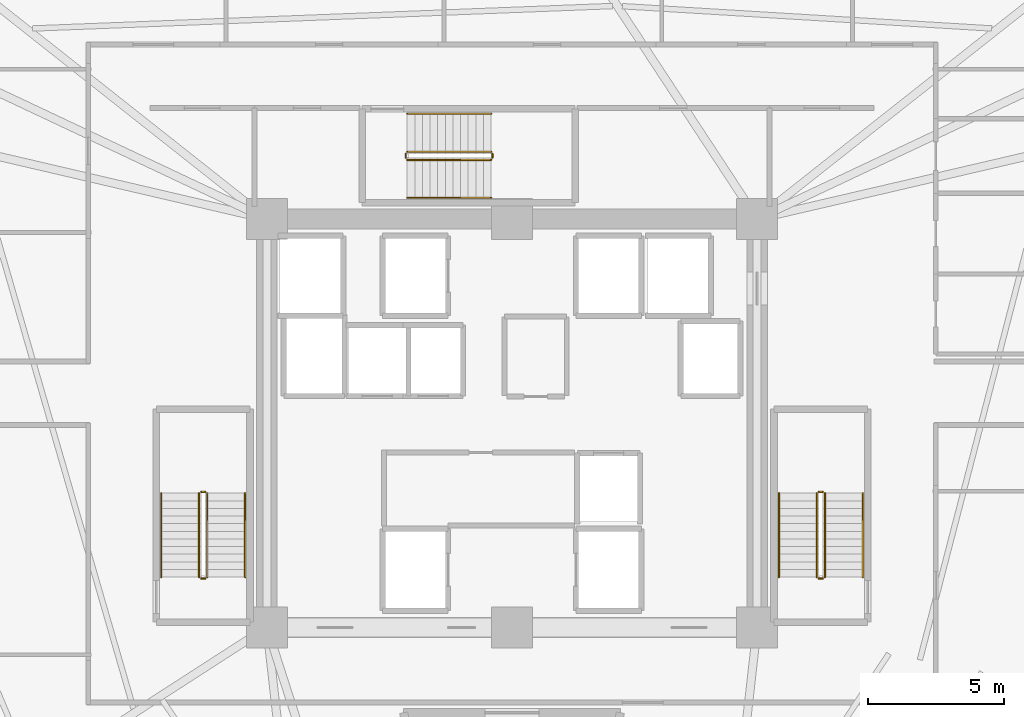
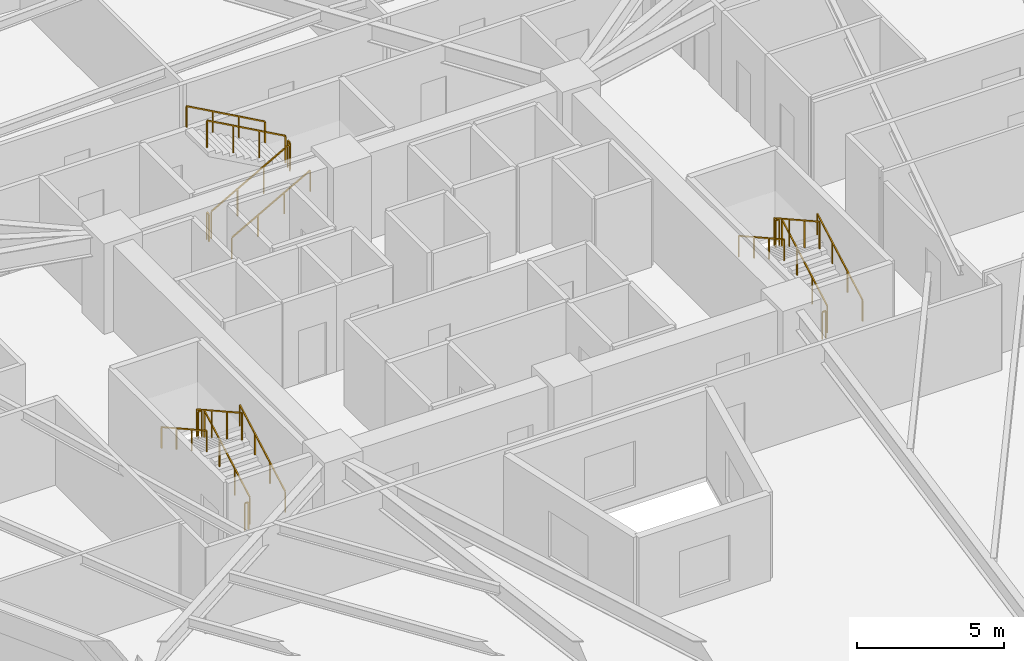
# One storey, part 8 of 8: 18 railings.
"""IFC4 building model written with IfcOpenShell, lengths in metres."""

from ifc_helpers import new_model, si_unit, direction, frame, origin, origin_2d, place, context, subcontext, project, spatial, rectangle, extrude, material, type_object, element, save


model = new_model("IFC4")

# Units and contexts
model_context = context("Model", 3, precision=1e-05, world=origin(), true_north=direction((0.0, 1.0)))
body_context = subcontext(model_context, "Body", "Model", "MODEL_VIEW")
ifc_project = project(units=[si_unit("LENGTHUNIT", "METRE"), si_unit("AREAUNIT", "SQUARE_METRE"), si_unit("VOLUMEUNIT", "CUBIC_METRE"), si_unit("PLANEANGLEUNIT", "RADIAN"), si_unit("MASSUNIT", "GRAM", prefix="KILO")], contexts=[model_context])

# Site, building, storey
site_placement = place(None, origin())
site = spatial("IfcSite", under=ifc_project, at=site_placement, CompositionType="ELEMENT")
building_placement = place(site_placement, origin())
building = spatial("IfcBuilding", under=site, at=building_placement, Name="Liaohun Quay Tower", CompositionType="ELEMENT")
storey_placement = place(building_placement, frame((0.0, 0.0, 162.75)))
storey = spatial("IfcBuildingStorey", under=building, at=storey_placement, Name="L42", CompositionType="ELEMENT", Elevation=162.75)

# Railings
ifc_material_1 = material(Name="Painted tubular steel", Category="steel")
railing_type_1 = type_object("IfcRailingType", Name="RLG-GUARD-STR", PredefinedType="GUARDRAIL", material=ifc_material_1)
railing_1_placement = place(storey_placement, frame((48.81005859375, 48.35009765625, 0.15625)))
element("IfcRailing", 1, at=railing_1_placement, inside=storey, type_object=railing_type_1, Name="L42 ST-1 stair guard 1", PredefinedType="GUARDRAIL", context=body_context, shape_type="SweptSolid", body=[
    extrude(rectangle(XDim=0.048095703125, YDim=0.048095703125, at=origin_2d()), frame((0.0, 0.0, 1.1259765625), z_axis=(0.0, 0.873225103656, 0.487317061414), x_axis=(-1.0, 0.0, 0.0)), (0.0, 0.0, 1.0), 3.52685546875),
    extrude(rectangle(XDim=0.0419921875, YDim=0.0419921875, at=origin_2d()), origin(), (0.0, 0.0, 1.0), 1.101806640625),
    extrude(rectangle(XDim=0.0419921875, YDim=0.0419921875, at=origin_2d()), frame((0.0, 1.026611328125, 0.572998046875)), (0.0, 0.0, 1.0), 1.101806640625),
    extrude(rectangle(XDim=0.0419921875, YDim=0.0419921875, at=origin_2d()), frame((0.0, 2.05322265625, 1.145751953125)), (0.0, 0.0, 1.0), 1.101806640625),
    extrude(rectangle(XDim=0.0419921875, YDim=0.0419921875, at=origin_2d()), frame((0.0, 3.079833984375, 1.71875)), (0.0, 0.0, 1.0), 1.101806640625),
])
railing_2_placement = place(storey_placement, frame((48.72998046875, 51.47998046875, 1.875)))
element("IfcRailing", 2, at=railing_2_placement, inside=storey, type_object=railing_type_1, Name="L42 ST-1 stair guard 2", PredefinedType="GUARDRAIL", context=body_context, shape_type="SweptSolid", body=[
    extrude(rectangle(XDim=0.048095703125, YDim=0.048095703125, at=origin_2d()), frame((0.0, 0.0, 1.1259765625), z_axis=(-1.0, 0.0, 0.0), x_axis=(0.0, -1.0, 0.0)), (0.0, 0.0, 1.0), 0.139892578125),
    extrude(rectangle(XDim=0.0419921875, YDim=0.0419921875, at=origin_2d()), origin(), (0.0, 0.0, 1.0), 1.101806640625),
    extrude(rectangle(XDim=0.0419921875, YDim=0.0419921875, at=origin_2d()), frame((-0.139892578125, 0.0, 0.0)), (0.0, 0.0, 1.0), 1.101806640625),
])
railing_3_placement = place(storey_placement, frame((48.510009765625, 51.429931640625, 2.03125)))
element("IfcRailing", 3, at=railing_3_placement, inside=storey, type_object=railing_type_1, Name="L42 ST-1 stair guard 3", PredefinedType="GUARDRAIL", context=body_context, shape_type="SweptSolid", body=[
    extrude(rectangle(XDim=0.048095703125, YDim=0.048095703125, at=origin_2d()), frame((0.0, 0.0, 1.1259765625), z_axis=(0.0, -0.873225103656, 0.487317061414), x_axis=(1.0, 0.0, 0.0)), (0.0, 0.0, 1.0), 3.52685546875),
    extrude(rectangle(XDim=0.0419921875, YDim=0.0419921875, at=origin_2d()), origin(), (0.0, 0.0, 1.0), 1.101806640625),
    extrude(rectangle(XDim=0.0419921875, YDim=0.0419921875, at=origin_2d()), frame((0.0, -1.026611328125, 0.572998046875)), (0.0, 0.0, 1.0), 1.101806640625),
    extrude(rectangle(XDim=0.0419921875, YDim=0.0419921875, at=origin_2d()), frame((0.0, -2.05322265625, 1.145751953125)), (0.0, 0.0, 1.0), 1.101806640625),
    extrude(rectangle(XDim=0.0419921875, YDim=0.0419921875, at=origin_2d()), frame((0.0, -3.079833984375, 1.71875)), (0.0, 0.0, 1.0), 1.101806640625),
])
railing_4_placement = place(storey_placement, frame((48.72998046875, 48.300048828125, 0.0)))
element("IfcRailing", 4, at=railing_4_placement, inside=storey, type_object=railing_type_1, Name="L42 ST-1 stair guard 4", PredefinedType="GUARDRAIL", context=body_context, shape_type="SweptSolid", body=[
    extrude(rectangle(XDim=0.048095703125, YDim=0.048095703125, at=origin_2d()), frame((0.0, 0.0, 1.1259765625), z_axis=(-1.0, 0.0, 0.0), x_axis=(0.0, -1.0, 0.0)), (0.0, 0.0, 1.0), 0.139892578125),
    extrude(rectangle(XDim=0.0419921875, YDim=0.0419921875, at=origin_2d()), origin(), (0.0, 0.0, 1.0), 1.101806640625),
    extrude(rectangle(XDim=0.0419921875, YDim=0.0419921875, at=origin_2d()), frame((-0.139892578125, 0.0, 0.0)), (0.0, 0.0, 1.0), 1.101806640625),
])
railing_5_placement = place(storey_placement, frame((71.489990234375, 48.35009765625, 0.15625)))
element("IfcRailing", 5, at=railing_5_placement, inside=storey, type_object=railing_type_1, Name="L42 ST-2 stair guard 1", PredefinedType="GUARDRAIL", context=body_context, shape_type="SweptSolid", body=[
    extrude(rectangle(XDim=0.048095703125, YDim=0.048095703125, at=origin_2d()), frame((0.0, 0.0, 1.1259765625), z_axis=(0.0, 0.873225103656, 0.487317061414), x_axis=(-1.0, 0.0, 0.0)), (0.0, 0.0, 1.0), 3.52685546875),
    extrude(rectangle(XDim=0.0419921875, YDim=0.0419921875, at=origin_2d()), origin(), (0.0, 0.0, 1.0), 1.101806640625),
    extrude(rectangle(XDim=0.0419921875, YDim=0.0419921875, at=origin_2d()), frame((0.0, 1.026611328125, 0.572998046875)), (0.0, 0.0, 1.0), 1.101806640625),
    extrude(rectangle(XDim=0.0419921875, YDim=0.0419921875, at=origin_2d()), frame((0.0, 2.05322265625, 1.145751953125)), (0.0, 0.0, 1.0), 1.101806640625),
    extrude(rectangle(XDim=0.0419921875, YDim=0.0419921875, at=origin_2d()), frame((0.0, 3.079833984375, 1.71875)), (0.0, 0.0, 1.0), 1.101806640625),
])
railing_6_placement = place(storey_placement, frame((71.409912109375, 51.47998046875, 1.875)))
element("IfcRailing", 6, at=railing_6_placement, inside=storey, type_object=railing_type_1, Name="L42 ST-2 stair guard 2", PredefinedType="GUARDRAIL", context=body_context, shape_type="SweptSolid", body=[
    extrude(rectangle(XDim=0.048095703125, YDim=0.048095703125, at=origin_2d()), frame((0.0, 0.0, 1.1259765625), z_axis=(-1.0, 0.0, 0.0), x_axis=(0.0, -1.0, 0.0)), (0.0, 0.0, 1.0), 0.139892578125),
    extrude(rectangle(XDim=0.0419921875, YDim=0.0419921875, at=origin_2d()), origin(), (0.0, 0.0, 1.0), 1.101806640625),
    extrude(rectangle(XDim=0.0419921875, YDim=0.0419921875, at=origin_2d()), frame((-0.139892578125, 0.0, 0.0)), (0.0, 0.0, 1.0), 1.101806640625),
])
railing_7_placement = place(storey_placement, frame((71.18994140625, 51.429931640625, 2.03125)))
element("IfcRailing", 7, at=railing_7_placement, inside=storey, type_object=railing_type_1, Name="L42 ST-2 stair guard 3", PredefinedType="GUARDRAIL", context=body_context, shape_type="SweptSolid", body=[
    extrude(rectangle(XDim=0.048095703125, YDim=0.048095703125, at=origin_2d()), frame((0.0, 0.0, 1.1259765625), z_axis=(0.0, -0.873225103656, 0.487317061414), x_axis=(1.0, 0.0, 0.0)), (0.0, 0.0, 1.0), 3.52685546875),
    extrude(rectangle(XDim=0.0419921875, YDim=0.0419921875, at=origin_2d()), origin(), (0.0, 0.0, 1.0), 1.101806640625),
    extrude(rectangle(XDim=0.0419921875, YDim=0.0419921875, at=origin_2d()), frame((0.0, -1.026611328125, 0.572998046875)), (0.0, 0.0, 1.0), 1.101806640625),
    extrude(rectangle(XDim=0.0419921875, YDim=0.0419921875, at=origin_2d()), frame((0.0, -2.05322265625, 1.145751953125)), (0.0, 0.0, 1.0), 1.101806640625),
    extrude(rectangle(XDim=0.0419921875, YDim=0.0419921875, at=origin_2d()), frame((0.0, -3.079833984375, 1.71875)), (0.0, 0.0, 1.0), 1.101806640625),
])
railing_8_placement = place(storey_placement, frame((71.409912109375, 48.300048828125, 0.0)))
element("IfcRailing", 8, at=railing_8_placement, inside=storey, type_object=railing_type_1, Name="L42 ST-2 stair guard 4", PredefinedType="GUARDRAIL", context=body_context, shape_type="SweptSolid", body=[
    extrude(rectangle(XDim=0.048095703125, YDim=0.048095703125, at=origin_2d()), frame((0.0, 0.0, 1.1259765625), z_axis=(-1.0, 0.0, 0.0), x_axis=(0.0, -1.0, 0.0)), (0.0, 0.0, 1.0), 0.139892578125),
    extrude(rectangle(XDim=0.0419921875, YDim=0.0419921875, at=origin_2d()), origin(), (0.0, 0.0, 1.0), 1.101806640625),
    extrude(rectangle(XDim=0.0419921875, YDim=0.0419921875, at=origin_2d()), frame((-0.139892578125, 0.0, 0.0)), (0.0, 0.0, 1.0), 1.101806640625),
])
railing_9_placement = place(storey_placement, frame((56.14990234375, 63.669921875, 0.15625)))
element("IfcRailing", 9, at=railing_9_placement, inside=storey, type_object=railing_type_1, Name="L42 ST-3 stair guard 1", PredefinedType="GUARDRAIL", context=body_context, shape_type="SweptSolid", body=[
    extrude(rectangle(XDim=0.048095703125, YDim=0.048095703125, at=origin_2d()), frame((0.0, 0.0, 1.1259765625), z_axis=(0.873241540666, 0.0, 0.487287606713), x_axis=(0.0, 1.0, 0.0)), (0.0, 0.0, 1.0), 3.527099609375),
    extrude(rectangle(XDim=0.0419921875, YDim=0.0419921875, at=origin_2d()), origin(), (0.0, 0.0, 1.0), 1.101806640625),
    extrude(rectangle(XDim=0.0419921875, YDim=0.0419921875, at=origin_2d()), frame((1.026611328125, 0.0, 0.572998046875)), (0.0, 0.0, 1.0), 1.101806640625),
    extrude(rectangle(XDim=0.0419921875, YDim=0.0419921875, at=origin_2d()), frame((2.053466796875, 0.0, 1.145751953125)), (0.0, 0.0, 1.0), 1.101806640625),
    extrude(rectangle(XDim=0.0419921875, YDim=0.0419921875, at=origin_2d()), frame((3.080078125, 0.0, 1.71875)), (0.0, 0.0, 1.0), 1.101806640625),
])
railing_10_placement = place(storey_placement, frame((59.280029296875, 63.75, 1.875)))
element("IfcRailing", 10, at=railing_10_placement, inside=storey, type_object=railing_type_1, Name="L42 ST-3 stair guard 2", PredefinedType="GUARDRAIL", context=body_context, shape_type="SweptSolid", body=[
    extrude(rectangle(XDim=0.048095703125, YDim=0.048095703125, at=origin_2d()), frame((0.0, 0.0, 1.1259765625), z_axis=(0.0, 1.0, 0.0), x_axis=(-1.0, 0.0, 0.0)), (0.0, 0.0, 1.0), 0.139892578125),
    extrude(rectangle(XDim=0.0419921875, YDim=0.0419921875, at=origin_2d()), origin(), (0.0, 0.0, 1.0), 1.101806640625),
    extrude(rectangle(XDim=0.0419921875, YDim=0.0419921875, at=origin_2d()), frame((0.0, 0.139892578125, 0.0)), (0.0, 0.0, 1.0), 1.101806640625),
])
railing_11_placement = place(storey_placement, frame((59.22998046875, 63.969970703125, 2.03125)))
element("IfcRailing", 11, at=railing_11_placement, inside=storey, type_object=railing_type_1, Name="L42 ST-3 stair guard 3", PredefinedType="GUARDRAIL", context=body_context, shape_type="SweptSolid", body=[
    extrude(rectangle(XDim=0.048095703125, YDim=0.048095703125, at=origin_2d()), frame((0.0, 0.0, 1.1259765625), z_axis=(-0.873241540666, 0.0, 0.487287606713), x_axis=(0.0, -1.0, 0.0)), (0.0, 0.0, 1.0), 3.527099609375),
    extrude(rectangle(XDim=0.0419921875, YDim=0.0419921875, at=origin_2d()), origin(), (0.0, 0.0, 1.0), 1.101806640625),
    extrude(rectangle(XDim=0.0419921875, YDim=0.0419921875, at=origin_2d()), frame((-1.026611328125, 0.0, 0.572998046875)), (0.0, 0.0, 1.0), 1.101806640625),
    extrude(rectangle(XDim=0.0419921875, YDim=0.0419921875, at=origin_2d()), frame((-2.053466796875, 0.0, 1.145751953125)), (0.0, 0.0, 1.0), 1.101806640625),
    extrude(rectangle(XDim=0.0419921875, YDim=0.0419921875, at=origin_2d()), frame((-3.080078125, 0.0, 1.71875)), (0.0, 0.0, 1.0), 1.101806640625),
])
railing_12_placement = place(storey_placement, frame((56.10009765625, 63.75, 0.0)))
element("IfcRailing", 12, at=railing_12_placement, inside=storey, type_object=railing_type_1, Name="L42 ST-3 stair guard 4", PredefinedType="GUARDRAIL", context=body_context, shape_type="SweptSolid", body=[
    extrude(rectangle(XDim=0.048095703125, YDim=0.048095703125, at=origin_2d()), frame((0.0, 0.0, 1.1259765625), z_axis=(0.0, 1.0, 0.0), x_axis=(-1.0, 0.0, 0.0)), (0.0, 0.0, 1.0), 0.139892578125),
    extrude(rectangle(XDim=0.0419921875, YDim=0.0419921875, at=origin_2d()), origin(), (0.0, 0.0, 1.0), 1.101806640625),
    extrude(rectangle(XDim=0.0419921875, YDim=0.0419921875, at=origin_2d()), frame((0.0, 0.139892578125, 0.0)), (0.0, 0.0, 1.0), 1.101806640625),
])
ifc_material_2 = material(Name="Brushed stainless steel", Category="steel")
railing_type_2 = type_object("IfcRailingType", Name="RLG-HND-STR", PredefinedType="HANDRAIL", material=ifc_material_2)
railing_13_placement = place(storey_placement, frame((50.199951171875, 48.35009765625, 0.15625)))
element("IfcRailing", 13, at=railing_13_placement, inside=storey, type_object=railing_type_2, Name="L42 ST-1 stair handrail 1", PredefinedType="HANDRAIL", context=body_context, shape_type="SweptSolid", body=[
    extrude(rectangle(XDim=0.048095703125, YDim=0.048095703125, at=origin_2d()), frame((0.0, 0.0, 0.8759765625), z_axis=(0.0, 0.873225103656, 0.487317061414), x_axis=(-1.0, 0.0, 0.0)), (0.0, 0.0, 1.0), 3.52685546875),
    extrude(rectangle(XDim=0.0419921875, YDim=0.0419921875, at=origin_2d()), origin(), (0.0, 0.0, 1.0), 0.851806640625),
    extrude(rectangle(XDim=0.0419921875, YDim=0.0419921875, at=origin_2d()), frame((0.0, 1.026611328125, 0.572998046875)), (0.0, 0.0, 1.0), 0.851806640625),
    extrude(rectangle(XDim=0.0419921875, YDim=0.0419921875, at=origin_2d()), frame((0.0, 2.05322265625, 1.145751953125)), (0.0, 0.0, 1.0), 0.851806640625),
    extrude(rectangle(XDim=0.0419921875, YDim=0.0419921875, at=origin_2d()), frame((0.0, 3.079833984375, 1.71875)), (0.0, 0.0, 1.0), 0.851806640625),
])
railing_14_placement = place(storey_placement, frame((47.1201171875, 51.429931640625, 2.03125)))
element("IfcRailing", 14, at=railing_14_placement, inside=storey, type_object=railing_type_2, Name="L42 ST-1 stair handrail 2", PredefinedType="HANDRAIL", context=body_context, shape_type="SweptSolid", body=[
    extrude(rectangle(XDim=0.048095703125, YDim=0.048095703125, at=origin_2d()), frame((0.0, 0.0, 0.8759765625), z_axis=(0.0, -0.873225103656, 0.487317061414), x_axis=(1.0, 0.0, 0.0)), (0.0, 0.0, 1.0), 3.52685546875),
    extrude(rectangle(XDim=0.0419921875, YDim=0.0419921875, at=origin_2d()), origin(), (0.0, 0.0, 1.0), 0.851806640625),
    extrude(rectangle(XDim=0.0419921875, YDim=0.0419921875, at=origin_2d()), frame((0.0, -1.026611328125, 0.572998046875)), (0.0, 0.0, 1.0), 0.851806640625),
    extrude(rectangle(XDim=0.0419921875, YDim=0.0419921875, at=origin_2d()), frame((0.0, -2.05322265625, 1.145751953125)), (0.0, 0.0, 1.0), 0.851806640625),
    extrude(rectangle(XDim=0.0419921875, YDim=0.0419921875, at=origin_2d()), frame((0.0, -3.079833984375, 1.71875)), (0.0, 0.0, 1.0), 0.851806640625),
])
railing_15_placement = place(storey_placement, frame((72.8798828125, 48.35009765625, 0.15625)))
element("IfcRailing", 15, at=railing_15_placement, inside=storey, type_object=railing_type_2, Name="L42 ST-2 stair handrail 1", PredefinedType="HANDRAIL", context=body_context, shape_type="SweptSolid", body=[
    extrude(rectangle(XDim=0.048095703125, YDim=0.048095703125, at=origin_2d()), frame((0.0, 0.0, 0.8759765625), z_axis=(0.0, 0.873225103656, 0.487317061414), x_axis=(-1.0, 0.0, 0.0)), (0.0, 0.0, 1.0), 3.52685546875),
    extrude(rectangle(XDim=0.0419921875, YDim=0.0419921875, at=origin_2d()), origin(), (0.0, 0.0, 1.0), 0.851806640625),
    extrude(rectangle(XDim=0.0419921875, YDim=0.0419921875, at=origin_2d()), frame((0.0, 1.026611328125, 0.572998046875)), (0.0, 0.0, 1.0), 0.851806640625),
    extrude(rectangle(XDim=0.0419921875, YDim=0.0419921875, at=origin_2d()), frame((0.0, 2.05322265625, 1.145751953125)), (0.0, 0.0, 1.0), 0.851806640625),
    extrude(rectangle(XDim=0.0419921875, YDim=0.0419921875, at=origin_2d()), frame((0.0, 3.079833984375, 1.71875)), (0.0, 0.0, 1.0), 0.851806640625),
])
railing_16_placement = place(storey_placement, frame((69.800048828125, 51.429931640625, 2.03125)))
element("IfcRailing", 16, at=railing_16_placement, inside=storey, type_object=railing_type_2, Name="L42 ST-2 stair handrail 2", PredefinedType="HANDRAIL", context=body_context, shape_type="SweptSolid", body=[
    extrude(rectangle(XDim=0.048095703125, YDim=0.048095703125, at=origin_2d()), frame((0.0, 0.0, 0.8759765625), z_axis=(0.0, -0.873225103656, 0.487317061414), x_axis=(1.0, 0.0, 0.0)), (0.0, 0.0, 1.0), 3.52685546875),
    extrude(rectangle(XDim=0.0419921875, YDim=0.0419921875, at=origin_2d()), origin(), (0.0, 0.0, 1.0), 0.851806640625),
    extrude(rectangle(XDim=0.0419921875, YDim=0.0419921875, at=origin_2d()), frame((0.0, -1.026611328125, 0.572998046875)), (0.0, 0.0, 1.0), 0.851806640625),
    extrude(rectangle(XDim=0.0419921875, YDim=0.0419921875, at=origin_2d()), frame((0.0, -2.05322265625, 1.145751953125)), (0.0, 0.0, 1.0), 0.851806640625),
    extrude(rectangle(XDim=0.0419921875, YDim=0.0419921875, at=origin_2d()), frame((0.0, -3.079833984375, 1.71875)), (0.0, 0.0, 1.0), 0.851806640625),
])
railing_17_placement = place(storey_placement, frame((56.14990234375, 62.280029296875, 0.15625)))
element("IfcRailing", 17, at=railing_17_placement, inside=storey, type_object=railing_type_2, Name="L42 ST-3 stair handrail 1", PredefinedType="HANDRAIL", context=body_context, shape_type="SweptSolid", body=[
    extrude(rectangle(XDim=0.048095703125, YDim=0.048095703125, at=origin_2d()), frame((0.0, 0.0, 0.8759765625), z_axis=(0.873241540666, 0.0, 0.487287606713), x_axis=(0.0, 1.0, 0.0)), (0.0, 0.0, 1.0), 3.527099609375),
    extrude(rectangle(XDim=0.0419921875, YDim=0.0419921875, at=origin_2d()), origin(), (0.0, 0.0, 1.0), 0.851806640625),
    extrude(rectangle(XDim=0.0419921875, YDim=0.0419921875, at=origin_2d()), frame((1.026611328125, 0.0, 0.572998046875)), (0.0, 0.0, 1.0), 0.851806640625),
    extrude(rectangle(XDim=0.0419921875, YDim=0.0419921875, at=origin_2d()), frame((2.053466796875, 0.0, 1.145751953125)), (0.0, 0.0, 1.0), 0.851806640625),
    extrude(rectangle(XDim=0.0419921875, YDim=0.0419921875, at=origin_2d()), frame((3.080078125, 0.0, 1.71875)), (0.0, 0.0, 1.0), 0.851806640625),
])
railing_18_placement = place(storey_placement, frame((59.22998046875, 65.360107421875, 2.03125)))
element("IfcRailing", 18, at=railing_18_placement, inside=storey, type_object=railing_type_2, Name="L42 ST-3 stair handrail 2", PredefinedType="HANDRAIL", context=body_context, shape_type="SweptSolid", body=[
    extrude(rectangle(XDim=0.048095703125, YDim=0.048095703125, at=origin_2d()), frame((0.0, 0.0, 0.8759765625), z_axis=(-0.873241540666, 0.0, 0.487287606713), x_axis=(0.0, -1.0, 0.0)), (0.0, 0.0, 1.0), 3.527099609375),
    extrude(rectangle(XDim=0.0419921875, YDim=0.0419921875, at=origin_2d()), origin(), (0.0, 0.0, 1.0), 0.851806640625),
    extrude(rectangle(XDim=0.0419921875, YDim=0.0419921875, at=origin_2d()), frame((-1.026611328125, 0.0, 0.572998046875)), (0.0, 0.0, 1.0), 0.851806640625),
    extrude(rectangle(XDim=0.0419921875, YDim=0.0419921875, at=origin_2d()), frame((-2.053466796875, 0.0, 1.145751953125)), (0.0, 0.0, 1.0), 0.851806640625),
    extrude(rectangle(XDim=0.0419921875, YDim=0.0419921875, at=origin_2d()), frame((-3.080078125, 0.0, 1.71875)), (0.0, 0.0, 1.0), 0.851806640625),
])

save(model, "model.ifc")
